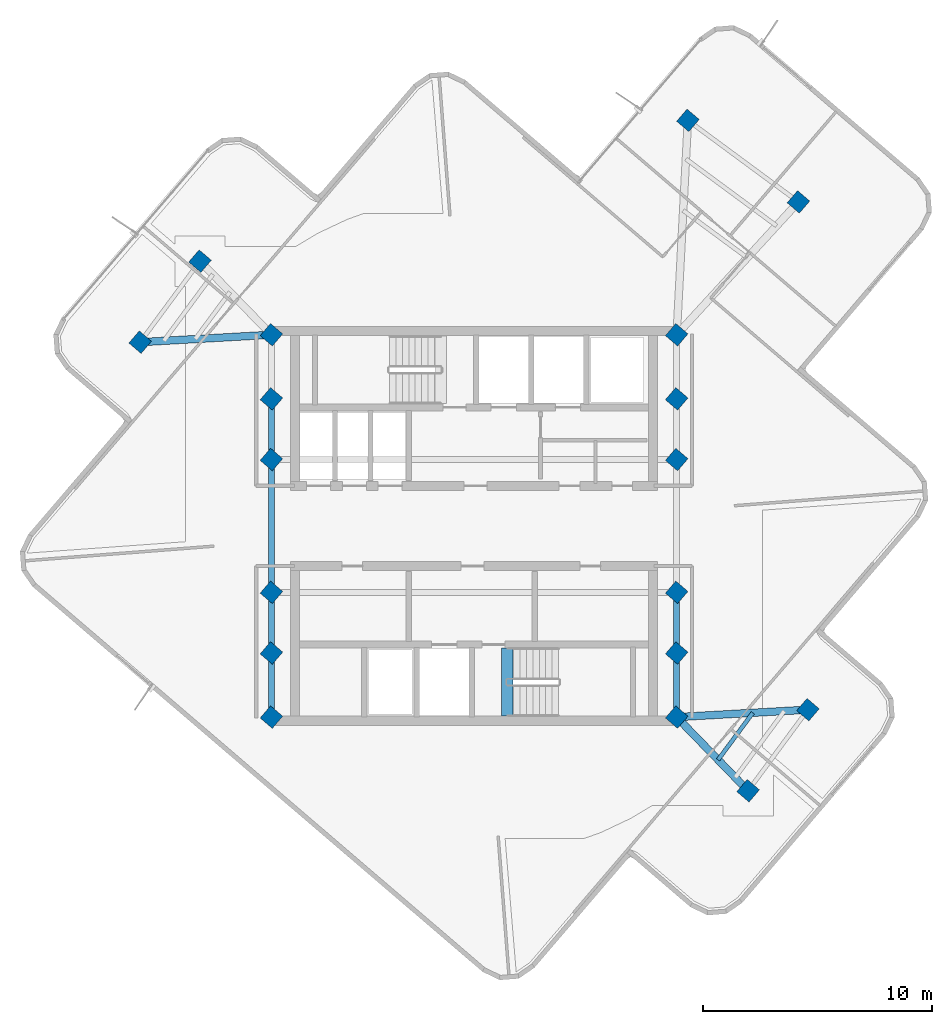
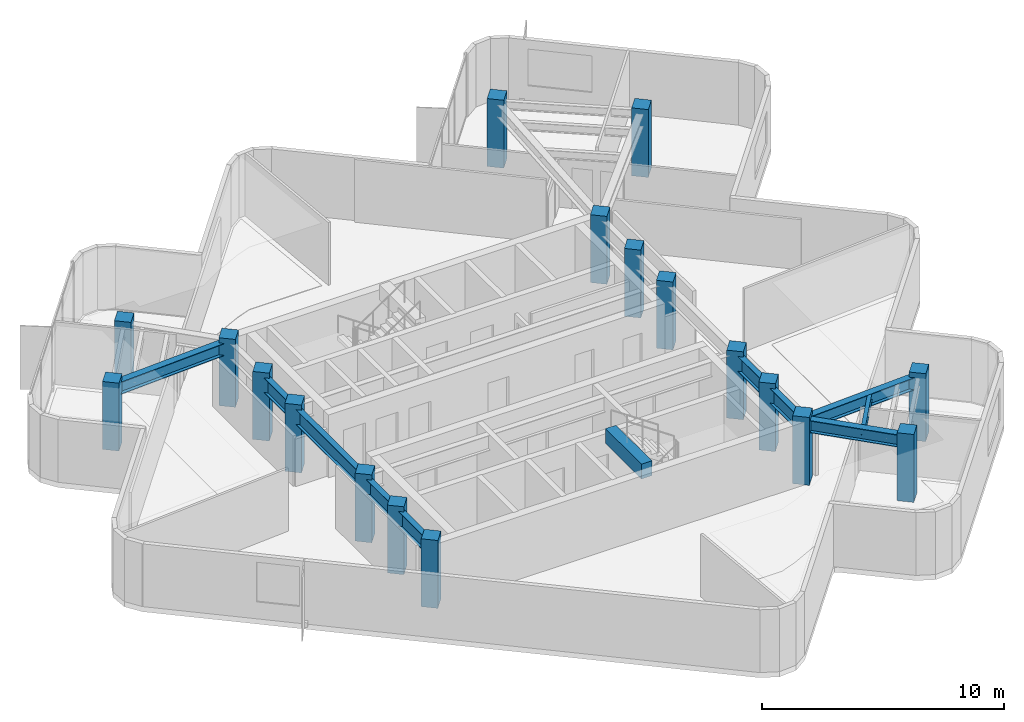
# One storey, part 1 of 10: 18 columns, 11 beams.
"""IFC4 building model written with IfcOpenShell, lengths in metres."""

from ifc_helpers import new_model, si_unit, direction, frame, origin, origin_2d, place, context, subcontext, project, spatial, rectangle, i_section, extrude, material, material_profile, profile_set, type_object, element, save


model = new_model("IFC4")

# Units and contexts
model_context = context("Model", 3, precision=1e-05, world=origin(), true_north=direction((0.0, 1.0)))
body_context = subcontext(model_context, "Body", "Model", "MODEL_VIEW")
ifc_project = project(units=[si_unit("LENGTHUNIT", "METRE"), si_unit("AREAUNIT", "SQUARE_METRE"), si_unit("VOLUMEUNIT", "CUBIC_METRE"), si_unit("PLANEANGLEUNIT", "RADIAN"), si_unit("MASSUNIT", "GRAM", prefix="KILO")], contexts=[model_context])

# Site, building, storey
site_placement = place(None, origin())
site = spatial("IfcSite", under=ifc_project, at=site_placement, CompositionType="ELEMENT")
building_placement = place(site_placement, origin())
building = spatial("IfcBuilding", under=site, at=building_placement, Name="Solmarez Civic Tower", CompositionType="ELEMENT")
storey_placement = place(building_placement, frame((0.0, 0.0, 254.340087890625)))
storey = spatial("IfcBuildingStorey", under=building, at=storey_placement, Name="L68", CompositionType="ELEMENT", Elevation=254.340087890625)

# Columns
ifc_material_1 = material(Name="Concrete C50/60", Category="concrete")
ifc_material_profile_1 = material_profile(ifc_material_1, rectangle(XDim=0.699951171875, YDim=0.699951171875, at=origin_2d()), Name="RC700X700")
ifc_profile_set_1 = profile_set([ifc_material_profile_1], Name="Concrete C50/60")
column_type = type_object("IfcColumnType", Name="COL-RC700", PredefinedType="COLUMN", material=ifc_profile_set_1)
for number, where, z_axis, x_axis, name in (
    (1, (-8.85009765625, -5.550048828125, 0.0), (0.0, 0.0, 1.0), (0.65024398735, 0.759725448379, 0.0), "L68 Structural Column HC1"),
    (2, (-8.85009765625, -2.89990234375, 0.0), (0.0, 0.0, 1.0), (0.65024398735, 0.759725448379, 0.0), "L68 Structural Column HC2"),
    (3, (-8.85009765625, 2.89990234375, 0.0), (0.0, 0.0, 1.0), (0.65024398735, 0.759725448379, 0.0), "L68 Structural Column HC3"),
    (4, (-8.85009765625, 5.550048828125, 0.0), (0.0, 0.0, 1.0), (0.65024398735, 0.759725448379, 0.0), "L68 Structural Column HC4"),
    (5, (8.85009765625, -5.550048828125, 0.0), (0.0, 0.0, 1.0), (0.65024398735, 0.759725448379, 0.0), "L68 Structural Column HC5"),
    (6, (8.85009765625, -2.89990234375, 0.0), (0.0, 0.0, 1.0), (0.65024398735, 0.759725448379, 0.0), "L68 Structural Column HC6"),
    (7, (8.85009765625, 2.89990234375, 0.0), (0.0, 0.0, 1.0), (0.65024398735, 0.759725448379, 0.0), "L68 Structural Column HC7"),
    (8, (8.85009765625, 5.550048828125, 0.0), (0.0, 0.0, 1.0), (0.65024398735, 0.759725448379, 0.0), "L68 Structural Column HC8"),
    (9, (-8.85009765625, 8.35009765625, 0.0), (0.0, 0.0, 1.0), (0.65024398735, 0.759725448379, 0.0), "L68 Structural Column HC9"),
    (10, (8.85009765625, -8.35009765625, 0.0), (0.0, 0.0, 1.0), (0.65024398735, 0.759725448379, 0.0), "L68 Structural Column HC10"),
    (11, (8.85009765625, 8.35009765625, 0.0), (0.0, 0.0, 1.0), (0.65024398735, 0.759725448379, 0.0), "L68 Structural Column HC11"),
    (12, (-8.85009765625, -8.35009765625, 0.0), (0.0, 0.0, 1.0), (0.65024398735, 0.759725448379, 0.0), "L68 Structural Column HC12"),
    (13, (14.1689453125, 14.152099609375, 0.0), (0.0, 0.0, 1.0), (0.65024398735, 0.759725448379, 0.0), "L68 Structural Column EA11"),
    (14, (9.341064453125, 17.714111328125, 0.0), (0.0, 0.0, 1.0), (0.65024398735, 0.759725448379, 0.0), "L68 Structural Column EA12"),
    (15, (-11.970947265625, 11.56591796875, 0.0), (0.0, 0.0, 1.0), (0.65024398735, 0.759725448379, 0.0), "L68 Structural Column NA11"),
    (16, (-14.5830078125, 8.02587890625, 0.0), (0.0, 0.0, 1.0), (0.65024398735, 0.759725448379, 0.0), "L68 Structural Column NA12"),
    (17, (11.970947265625, -11.56591796875, 0.0), (0.0, 0.0, 1.0), (0.65024398735, 0.759725448379, 0.0), "L68 Structural Column SA11"),
    (18, (14.5830078125, -8.02587890625, 0.0), (0.0, 0.0, 1.0), (0.65024398735, 0.759725448379, 0.0), "L68 Structural Column SA12"),
):
    element("IfcColumn", number, at=place(storey_placement, frame(where, z_axis=z_axis, x_axis=x_axis)), inside=storey, type_object=column_type, Name=name, PredefinedType="COLUMN", context=body_context, shape_type="SweptSolid", body=[
        extrude(rectangle(XDim=0.699951171875, YDim=0.699951171875, at=origin_2d()), origin(), (0.0, 0.0, 1.0), 3.419921875),
    ])

# Beams
ifc_material_2 = material(Name="Steel S355", Category="steel")
ifc_material_profile_2 = material_profile(ifc_material_2, i_section(OverallWidth=0.178955078125, OverallDepth=0.409912109375, WebThickness=0.0087890625, FlangeThickness=0.014404296875, at=origin_2d()), Name="W16X45")
ifc_profile_set_2 = profile_set([ifc_material_profile_2], Name="Steel S355")
beam_type_1 = type_object("IfcBeamType", Name="BM-JS-W16X45", PredefinedType="JOIST", material=ifc_profile_set_2)
beam_1_placement = place(storey_placement, frame((10.659912109375, -10.215087890625, 2.954833984375), z_axis=(0.593812477683, 0.804603468392, 0.0), x_axis=(-0.804603468392, 0.593812477683, 0.0)))
element("IfcBeam", 19, at=beam_1_placement, inside=storey, type_object=beam_type_1, Name="L68 Secondary Floor Joist JS-L68-SA-M11", PredefinedType="JOIST", context=body_context, shape_type="SweptSolid", body=[
    extrude(i_section(OverallWidth=0.178955078125, OverallDepth=0.409912109375, WebThickness=0.0087890625, FlangeThickness=0.014404296875, at=origin_2d()), origin(), (0.0, 0.0, 1.0), 2.551513671875),
])
ifc_material_profile_3 = material_profile(ifc_material_1, rectangle(XDim=0.5, YDim=0.75, at=origin_2d()), Name="RC500X750")
ifc_profile_set_3 = profile_set([ifc_material_profile_3], Name="Concrete C50/60")
beam_type_2 = type_object("IfcBeamType", Name="BM-PR-RC500X750", PredefinedType="BEAM", material=ifc_profile_set_3)
beam_2_placement = place(storey_placement, frame((1.449951171875, -8.300048828125, 3.052978515625), z_axis=(0.0, 1.0, 0.0), x_axis=(-1.0, 0.0, 0.0)))
element("IfcBeam", 20, at=beam_2_placement, inside=storey, type_object=beam_type_2, Name="L68 South Stair Threshold Beam", PredefinedType="BEAM", context=body_context, shape_type="SweptSolid", body=[
    extrude(rectangle(XDim=0.5, YDim=0.75, at=origin_2d()), origin(), (0.0, 0.0, 1.0), 2.9599609375),
])
ifc_material_profile_4 = material_profile(ifc_material_2, i_section(OverallWidth=0.327880859375, OverallDepth=0.6220703125, WebThickness=0.015380859375, FlangeThickness=0.0244140625, at=origin_2d()), Name="W24X131")
ifc_profile_set_4 = profile_set([ifc_material_profile_4], Name="Steel S355")
beam_type_3 = type_object("IfcBeamType", Name="BM-PR-W24X131", PredefinedType="BEAM", material=ifc_profile_set_4)
beam_3_placement = place(storey_placement, frame((-8.85009765625, 8.35009765625, 2.848876953125), z_axis=(-0.998404650863, -0.056463732917, 0.0), x_axis=(0.056463732917, -0.998404650863, 0.0)))
element("IfcBeam", 21, at=beam_3_placement, inside=storey, type_object=beam_type_3, Name="L68 Primary Floor Beam BM-L68-NA-R1B", PredefinedType="BEAM", context=body_context, shape_type="SweptSolid", body=[
    extrude(i_section(OverallWidth=0.327880859375, OverallDepth=0.6220703125, WebThickness=0.015380859375, FlangeThickness=0.0244140625, at=origin_2d()), origin(), (0.0, 0.0, 1.0), 5.7421875),
])
beam_4_placement = place(storey_placement, frame((8.85009765625, -8.35009765625, 2.848876953125), z_axis=(0.696430820305, -0.717623935309, 0.0), x_axis=(0.717623935309, 0.696430820305, 0.0)))
element("IfcBeam", 22, at=beam_4_placement, inside=storey, type_object=beam_type_3, Name="L68 Primary Floor Beam BM-L68-SA-R1A", PredefinedType="BEAM", context=body_context, shape_type="SweptSolid", body=[
    extrude(i_section(OverallWidth=0.327880859375, OverallDepth=0.6220703125, WebThickness=0.015380859375, FlangeThickness=0.0244140625, at=origin_2d()), origin(), (0.0, 0.0, 1.0), 4.481201171875),
])
beam_5_placement = place(storey_placement, frame((8.85009765625, -8.35009765625, 2.848876953125), z_axis=(0.998404650863, 0.056463732917, 0.0), x_axis=(-0.056463732917, 0.998404650863, 0.0)))
element("IfcBeam", 23, at=beam_5_placement, inside=storey, type_object=beam_type_3, Name="L68 Primary Floor Beam BM-L68-SA-R1B", PredefinedType="BEAM", context=body_context, shape_type="SweptSolid", body=[
    extrude(i_section(OverallWidth=0.327880859375, OverallDepth=0.6220703125, WebThickness=0.015380859375, FlangeThickness=0.0244140625, at=origin_2d()), origin(), (0.0, 0.0, 1.0), 5.7421875),
])
ifc_material_profile_5 = material_profile(ifc_material_2, i_section(OverallWidth=0.26708984375, OverallDepth=0.761962890625, WebThickness=0.014404296875, FlangeThickness=0.021484375, at=origin_2d()), Name="W30X116")
ifc_profile_set_5 = profile_set([ifc_material_profile_5], Name="Steel S355")
beam_type_4 = type_object("IfcBeamType", Name="BM-PR-W30X116", PredefinedType="BEAM", material=ifc_profile_set_5)
beam_6_placement = place(storey_placement, frame((-8.85009765625, -8.35009765625, 2.77880859375), z_axis=(0.0, 1.0, 0.0), x_axis=(-1.0, 0.0, 0.0)))
element("IfcBeam", 24, at=beam_6_placement, inside=storey, type_object=beam_type_4, Name="L68 Primary Floor Beam BM-L68-HC12-HC1", PredefinedType="BEAM", context=body_context, shape_type="SweptSolid", body=[
    extrude(i_section(OverallWidth=0.26708984375, OverallDepth=0.761962890625, WebThickness=0.014404296875, FlangeThickness=0.021484375, at=origin_2d()), origin(), (0.0, 0.0, 1.0), 2.800048828125),
])
beam_7_placement = place(storey_placement, frame((-8.85009765625, -5.550048828125, 2.77880859375), z_axis=(0.0, 1.0, 0.0), x_axis=(-1.0, 0.0, 0.0)))
element("IfcBeam", 25, at=beam_7_placement, inside=storey, type_object=beam_type_4, Name="L68 Primary Floor Beam BM-L68-HC1-HC2", PredefinedType="BEAM", context=body_context, shape_type="SweptSolid", body=[
    extrude(i_section(OverallWidth=0.26708984375, OverallDepth=0.761962890625, WebThickness=0.014404296875, FlangeThickness=0.021484375, at=origin_2d()), origin(), (0.0, 0.0, 1.0), 2.650146484375),
])
beam_8_placement = place(storey_placement, frame((-8.85009765625, -2.89990234375, 2.77880859375), z_axis=(0.0, 1.0, 0.0), x_axis=(-1.0, 0.0, 0.0)))
element("IfcBeam", 26, at=beam_8_placement, inside=storey, type_object=beam_type_4, Name="L68 Primary Floor Beam BM-L68-HC2-HC3", PredefinedType="BEAM", context=body_context, shape_type="SweptSolid", body=[
    extrude(i_section(OverallWidth=0.26708984375, OverallDepth=0.761962890625, WebThickness=0.014404296875, FlangeThickness=0.021484375, at=origin_2d()), origin(), (0.0, 0.0, 1.0), 5.7998046875),
])
beam_9_placement = place(storey_placement, frame((-8.85009765625, 2.89990234375, 2.77880859375), z_axis=(0.0, 1.0, 0.0), x_axis=(-1.0, 0.0, 0.0)))
element("IfcBeam", 27, at=beam_9_placement, inside=storey, type_object=beam_type_4, Name="L68 Primary Floor Beam BM-L68-HC3-HC4", PredefinedType="BEAM", context=body_context, shape_type="SweptSolid", body=[
    extrude(i_section(OverallWidth=0.26708984375, OverallDepth=0.761962890625, WebThickness=0.014404296875, FlangeThickness=0.021484375, at=origin_2d()), origin(), (0.0, 0.0, 1.0), 2.650146484375),
])
beam_10_placement = place(storey_placement, frame((8.85009765625, -8.35009765625, 2.77880859375), z_axis=(0.0, 1.0, 0.0), x_axis=(-1.0, 0.0, 0.0)))
element("IfcBeam", 28, at=beam_10_placement, inside=storey, type_object=beam_type_4, Name="L68 Primary Floor Beam BM-L68-HC10-HC5", PredefinedType="BEAM", context=body_context, shape_type="SweptSolid", body=[
    extrude(i_section(OverallWidth=0.26708984375, OverallDepth=0.761962890625, WebThickness=0.014404296875, FlangeThickness=0.021484375, at=origin_2d()), origin(), (0.0, 0.0, 1.0), 2.800048828125),
])
beam_11_placement = place(storey_placement, frame((8.85009765625, -5.550048828125, 2.77880859375), z_axis=(0.0, 1.0, 0.0), x_axis=(-1.0, 0.0, 0.0)))
element("IfcBeam", 29, at=beam_11_placement, inside=storey, type_object=beam_type_4, Name="L68 Primary Floor Beam BM-L68-HC5-HC6", PredefinedType="BEAM", context=body_context, shape_type="SweptSolid", body=[
    extrude(i_section(OverallWidth=0.26708984375, OverallDepth=0.761962890625, WebThickness=0.014404296875, FlangeThickness=0.021484375, at=origin_2d()), origin(), (0.0, 0.0, 1.0), 2.650146484375),
])

save(model, "model.ifc")
